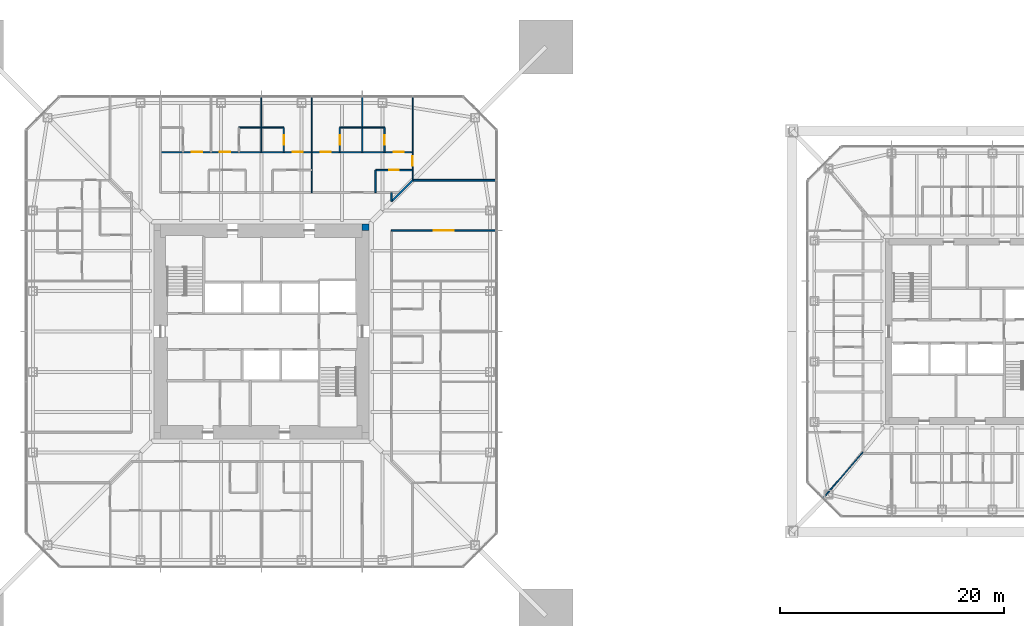
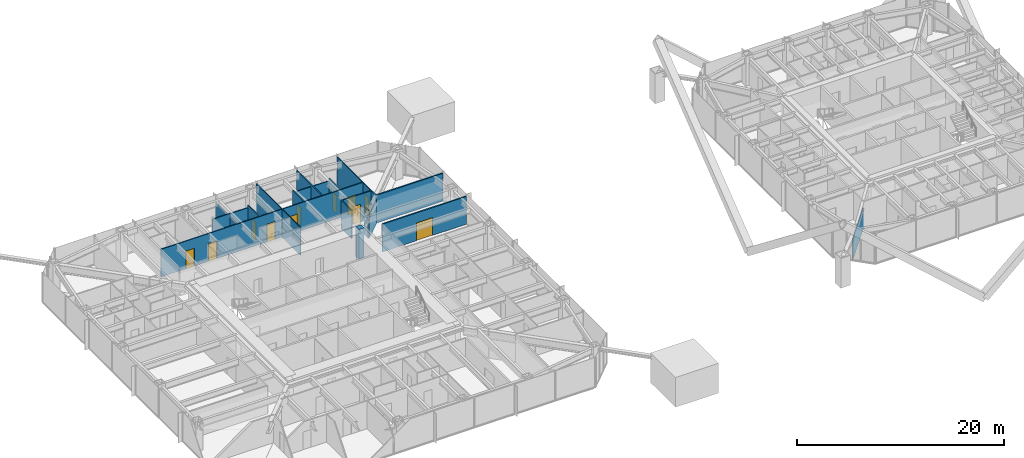
# One storey, part 14 of 23: 18 walls, 11 doors, 11 openings.
"""IFC4 building model written with IfcOpenShell, lengths in metres."""

from ifc_helpers import new_model, si_unit, direction, frame, frame_2d, origin, place, context, subcontext, project, spatial, rectangle, extrude, material, layer, layer_set, type_object, element, fill, save


model = new_model("IFC4")

# Units and contexts
model_context = context("Model", 3, precision=1e-05, world=origin(), true_north=direction((0.0, 1.0)))
body_context = subcontext(model_context, "Body", "Model", "MODEL_VIEW")
ifc_project = project(units=[si_unit("LENGTHUNIT", "METRE"), si_unit("AREAUNIT", "SQUARE_METRE"), si_unit("VOLUMEUNIT", "CUBIC_METRE"), si_unit("PLANEANGLEUNIT", "RADIAN"), si_unit("MASSUNIT", "GRAM", prefix="KILO")], contexts=[model_context])

# Site, building, storey
site_placement = place(None, origin())
site = spatial("IfcSite", under=ifc_project, at=site_placement, CompositionType="ELEMENT")
building_placement = place(site_placement, origin())
building = spatial("IfcBuilding", under=site, at=building_placement, Name="Iwan Alto Co-Living Towers", CompositionType="ELEMENT")
storey_placement = place(building_placement, frame((0.0, 0.0, 122.5)))
storey = spatial("IfcBuildingStorey", under=building, at=storey_placement, Name="L33", CompositionType="ELEMENT", Elevation=122.5)

# Wall, opening, door
ifc_material_1 = material(Name="Gypsum board")
ifc_layer_1 = layer(ifc_material_1, 0.02490234375, Name="Board", Category="Finish")
ifc_material_2 = material(Name="Steel ASTM A1003 ST33H cold-formed studs", Category="steel")
ifc_layer_2 = layer(ifc_material_2, 0.10009765625, Name="Studs", Category="Framing")
ifc_layer_3 = layer(ifc_material_1, 0.02490234375, Name="Board", Category="Finish")
ifc_layer_set_1 = layer_set([ifc_layer_1, ifc_layer_2, ifc_layer_3], Name="CORRIDOR WALL 150")
wall_type_1 = type_object("IfcWallType", Name="CORRIDOR WALL 150", PredefinedType="PARTITIONING", material=ifc_layer_set_1)
wall_1_placement = place(storey_placement, frame((11.60009765625, 9.0, 0.0), z_axis=(0.0, 0.0, 1.0), x_axis=(1.0, 0.0, 0.0)))
wall_1 = element("IfcWall", 1, at=wall_1_placement, inside=storey, type_object=wall_type_1, Name="Partition L33", PredefinedType="PARTITIONING", context=body_context, shape_type="SweptSolid", body=[
    extrude(rectangle(XDim=9.33984375, YDim=0.14990234375, at=frame_2d((4.669921875, 0.0))), origin(), (0.0, 0.0, 1.0), 3.27001953125),
])
opening_1_placement = place(wall_1_placement, frame((3.77001953125, 0.0, 0.0)))
opening_1 = element("IfcOpeningElement", 2, at=opening_1_placement, cuts=wall_1, Name="Opening D9", PredefinedType="OPENING", context=body_context, shape_type="SweptSolid", body=[
    extrude(rectangle(XDim=1.800048828125, YDim=2.10009765625, at=frame_2d((0.89990234375, 1.050048828125))), frame((0.0, 0.0849609375, 0.0), z_axis=(0.0, -1.0, 0.0), x_axis=(1.0, 0.0, 0.0)), (0.0, 0.0, 1.0), 0.169921875),
])
ifc_material_3 = material(Name="Steel frame with timber leaf", Category="steel")
door_type_1 = type_object("IfcDoorType", Name="LOUNGE DOOR FD30S 1800X2100", OperationType="DOUBLE_DOOR_SINGLE_SWING", PredefinedType="DOOR", material=ifc_material_3)
door_1_placement = place(opening_1_placement, frame((1.800048828125, 0.0, 0.0), z_axis=(0.0, 0.0, 1.0), x_axis=(-1.0, 0.0, 0.0)))
door_1 = element("IfcDoor", 3, at=door_1_placement, inside=storey, type_object=door_type_1, Name="Co-working room door L33", OperationType="DOUBLE_DOOR_SINGLE_SWING", OverallHeight=2.10009765625, OverallWidth=1.800048828125, PredefinedType="DOOR", context=body_context, shape_type="SweptSolid", body=[
    extrude(rectangle(XDim=1.800048828125, YDim=2.10009765625, at=frame_2d((0.89990234375, 1.050048828125))), frame((0.0, 0.02490234375, 0.0), z_axis=(0.0, -1.0, 0.0), x_axis=(1.0, 0.0, 0.0)), (0.0, 0.0, 1.0), 0.050048828125),
])
fill(opening_1, door_1)

# Walls
wall_2_placement = place(storey_placement, frame((13.5, 13.5, 0.0), z_axis=(0.0, 0.0, 1.0), x_axis=(1.0, 0.0, 0.0)))
element("IfcWall", 4, at=wall_2_placement, inside=storey, type_object=wall_type_1, Name="Partition L33", PredefinedType="PARTITIONING", context=body_context, shape_type="SweptSolid", body=[
    extrude(rectangle(XDim=7.43994140625, YDim=0.14990234375, at=frame_2d((3.719970703125, 0.0))), origin(), (0.0, 0.0, 1.0), 3.27001953125),
])
wall_3_placement = place(storey_placement, frame((11.60009765625, 11.60009765625, 0.0), z_axis=(0.0, 0.0, 1.0), x_axis=(0.707106781187, 0.707106781187, 0.0)))
element("IfcWall", 5, at=wall_3_placement, inside=storey, type_object=wall_type_1, Name="Partition L33", PredefinedType="PARTITIONING", context=body_context, shape_type="SweptSolid", body=[
    extrude(rectangle(XDim=2.686767578125, YDim=0.14990234375, at=frame_2d((1.34326171875, 0.0))), origin(), (0.0, 0.0, 1.0), 2.343017578125),
])
wall_4_placement = place(storey_placement, frame((11.60009765625, 11.60009765625, 0.0), z_axis=(0.0, 0.0, 1.0), x_axis=(0.0, 1.0, 0.0)))
element("IfcWall", 6, at=wall_4_placement, inside=storey, type_object=wall_type_1, Name="Partition L33", PredefinedType="PARTITIONING", context=body_context, shape_type="SweptSolid", body=[
    extrude(rectangle(XDim=0.7998046875, YDim=0.14990234375, at=frame_2d((0.39990234375, 0.0))), origin(), (0.0, 0.0, 1.0), 3.27001953125),
])

# Wall, openings, doors
ifc_layer_4 = layer(ifc_material_1, 0.012451171875, Name="Board", Category="Finish")
ifc_layer_5 = layer(ifc_material_2, 0.074951171875, Name="Studs", Category="Framing")
ifc_layer_6 = layer(ifc_material_1, 0.012451171875, Name="Board", Category="Finish")
ifc_layer_set_2 = layer_set([ifc_layer_4, ifc_layer_5, ifc_layer_6], Name="PARTITION 100")
wall_type_2 = type_object("IfcWallType", Name="PARTITION 100", PredefinedType="PARTITIONING", material=ifc_layer_set_2)
wall_5_placement = place(storey_placement, frame((-9.0, 16.0, 0.0), z_axis=(0.0, 0.0, 1.0), x_axis=(1.0, 0.0, 0.0)))
wall_5 = element("IfcWall", 7, at=wall_5_placement, inside=storey, type_object=wall_type_2, Name="Partition L33", PredefinedType="PARTITIONING", context=body_context, shape_type="SweptSolid", body=[
    extrude(rectangle(XDim=22.5, YDim=0.10009765625, at=frame_2d((11.25, 0.0))), origin(), (0.0, 0.0, 1.0), 3.27001953125),
])
opening_2_placement = place(wall_5_placement, frame((20.800048828125, 0.0, 0.0)))
opening_2 = element("IfcOpeningElement", 8, at=opening_2_placement, cuts=wall_5, Name="Opening D1", PredefinedType="OPENING", context=body_context, shape_type="SweptSolid", body=[
    extrude(rectangle(XDim=0.89990234375, YDim=2.10009765625, at=frame_2d((0.449951171875, 1.050048828125))), frame((0.0, 0.06005859375, 0.0), z_axis=(0.0, -1.0, 0.0), x_axis=(1.0, 0.0, 0.0)), (0.0, 0.0, 1.0), 0.1201171875),
])
opening_3_placement = place(wall_5_placement, frame((14.300048828125, 0.0, 0.0)))
opening_3 = element("IfcOpeningElement", 9, at=opening_3_placement, cuts=wall_5, Name="Opening D1", PredefinedType="OPENING", context=body_context, shape_type="SweptSolid", body=[
    extrude(rectangle(XDim=0.89990234375, YDim=2.10009765625, at=frame_2d((0.449951171875, 1.050048828125))), frame((0.0, 0.06005859375, 0.0), z_axis=(0.0, -1.0, 0.0), x_axis=(1.0, 0.0, 0.0)), (0.0, 0.0, 1.0), 0.1201171875),
])
opening_4_placement = place(wall_5_placement, frame((11.800048828125, 0.0, 0.0)))
opening_4 = element("IfcOpeningElement", 10, at=opening_4_placement, cuts=wall_5, Name="Opening D1", PredefinedType="OPENING", context=body_context, shape_type="SweptSolid", body=[
    extrude(rectangle(XDim=0.89990234375, YDim=2.10009765625, at=frame_2d((0.449951171875, 1.050048828125))), frame((0.0, 0.06005859375, 0.0), z_axis=(0.0, -1.0, 0.0), x_axis=(1.0, 0.0, 0.0)), (0.0, 0.0, 1.0), 0.1201171875),
])
opening_5_placement = place(wall_5_placement, frame((5.300048828125, 0.0, 0.0)))
opening_5 = element("IfcOpeningElement", 11, at=opening_5_placement, cuts=wall_5, Name="Opening D1", PredefinedType="OPENING", context=body_context, shape_type="SweptSolid", body=[
    extrude(rectangle(XDim=0.89990234375, YDim=2.10009765625, at=frame_2d((0.449951171875, 1.050048828125))), frame((0.0, 0.06005859375, 0.0), z_axis=(0.0, -1.0, 0.0), x_axis=(1.0, 0.0, 0.0)), (0.0, 0.0, 1.0), 0.1201171875),
])
opening_6_placement = place(wall_5_placement, frame((2.800048828125, 0.0, 0.0)))
opening_6 = element("IfcOpeningElement", 12, at=opening_6_placement, cuts=wall_5, Name="Opening D1", PredefinedType="OPENING", context=body_context, shape_type="SweptSolid", body=[
    extrude(rectangle(XDim=0.89990234375, YDim=2.10009765625, at=frame_2d((0.449951171875, 1.050048828125))), frame((0.0, 0.06005859375, 0.0), z_axis=(0.0, -1.0, 0.0), x_axis=(1.0, 0.0, 0.0)), (0.0, 0.0, 1.0), 0.1201171875),
])
ifc_material_4 = material(Name="Timber leaf in steel frame", Category="steel")
door_type_2 = type_object("IfcDoorType", Name="BEDROOM DOOR 900X2100", OperationType="SINGLE_SWING_LEFT", PredefinedType="DOOR", material=ifc_material_4)
door_2_placement = place(opening_2_placement, frame((0.89990234375, 0.0, 0.0), z_axis=(0.0, 0.0, 1.0), x_axis=(-1.0, 0.0, 0.0)))
door_2 = element("IfcDoor", 13, at=door_2_placement, inside=storey, type_object=door_type_2, Name="Study bedroom door L33", OperationType="SINGLE_SWING_LEFT", OverallHeight=2.10009765625, OverallWidth=0.89990234375, PredefinedType="DOOR", context=body_context, shape_type="SweptSolid", body=[
    extrude(rectangle(XDim=0.89990234375, YDim=2.10009765625, at=frame_2d((0.449951171875, 1.050048828125))), frame((0.0, 0.02490234375, 0.0), z_axis=(0.0, -1.0, 0.0), x_axis=(1.0, 0.0, 0.0)), (0.0, 0.0, 1.0), 0.050048828125),
])
fill(opening_2, door_2)
door_3_placement = place(opening_3_placement, frame((0.89990234375, 0.0, 0.0), z_axis=(0.0, 0.0, 1.0), x_axis=(-1.0, 0.0, 0.0)))
door_3 = element("IfcDoor", 14, at=door_3_placement, inside=storey, type_object=door_type_2, Name="Study bedroom door L33", OperationType="SINGLE_SWING_RIGHT", OverallHeight=2.10009765625, OverallWidth=0.89990234375, PredefinedType="DOOR", context=body_context, shape_type="SweptSolid", body=[
    extrude(rectangle(XDim=0.89990234375, YDim=2.10009765625, at=frame_2d((0.449951171875, 1.050048828125))), frame((0.0, 0.02490234375, 0.0), z_axis=(0.0, -1.0, 0.0), x_axis=(1.0, 0.0, 0.0)), (0.0, 0.0, 1.0), 0.050048828125),
])
fill(opening_3, door_3)
door_4_placement = place(opening_4_placement, frame((0.89990234375, 0.0, 0.0), z_axis=(0.0, 0.0, 1.0), x_axis=(-1.0, 0.0, 0.0)))
door_4 = element("IfcDoor", 15, at=door_4_placement, inside=storey, type_object=door_type_2, Name="Study bedroom door L33", OperationType="SINGLE_SWING_LEFT", OverallHeight=2.10009765625, OverallWidth=0.89990234375, PredefinedType="DOOR", context=body_context, shape_type="SweptSolid", body=[
    extrude(rectangle(XDim=0.89990234375, YDim=2.10009765625, at=frame_2d((0.449951171875, 1.050048828125))), frame((0.0, 0.02490234375, 0.0), z_axis=(0.0, -1.0, 0.0), x_axis=(1.0, 0.0, 0.0)), (0.0, 0.0, 1.0), 0.050048828125),
])
fill(opening_4, door_4)
door_5_placement = place(opening_5_placement, frame((0.89990234375, 0.0, 0.0), z_axis=(0.0, 0.0, 1.0), x_axis=(-1.0, 0.0, 0.0)))
door_5 = element("IfcDoor", 16, at=door_5_placement, inside=storey, type_object=door_type_2, Name="Study bedroom door L33", OperationType="SINGLE_SWING_RIGHT", OverallHeight=2.10009765625, OverallWidth=0.89990234375, PredefinedType="DOOR", context=body_context, shape_type="SweptSolid", body=[
    extrude(rectangle(XDim=0.89990234375, YDim=2.10009765625, at=frame_2d((0.449951171875, 1.050048828125))), frame((0.0, 0.02490234375, 0.0), z_axis=(0.0, -1.0, 0.0), x_axis=(1.0, 0.0, 0.0)), (0.0, 0.0, 1.0), 0.050048828125),
])
fill(opening_5, door_5)
door_6_placement = place(opening_6_placement, frame((0.89990234375, 0.0, 0.0), z_axis=(0.0, 0.0, 1.0), x_axis=(-1.0, 0.0, 0.0)))
door_6 = element("IfcDoor", 17, at=door_6_placement, inside=storey, type_object=door_type_2, Name="Study bedroom door L33", OperationType="SINGLE_SWING_RIGHT", OverallHeight=2.10009765625, OverallWidth=0.89990234375, PredefinedType="DOOR", context=body_context, shape_type="SweptSolid", body=[
    extrude(rectangle(XDim=0.89990234375, YDim=2.10009765625, at=frame_2d((0.449951171875, 1.050048828125))), frame((0.0, 0.02490234375, 0.0), z_axis=(0.0, -1.0, 0.0), x_axis=(1.0, 0.0, 0.0)), (0.0, 0.0, 1.0), 0.050048828125),
])
fill(opening_6, door_6)

# Walls
for number, where, z_axis, x_axis, name in (
    (18, (-2.0, 18.199951171875, 0.0), (0.0, 0.0, 1.0), (1.0, 0.0, 0.0), "Partition L33"),
    (19, (7.0, 18.199951171875, 0.0), (0.0, 0.0, 1.0), (1.0, 0.0, 0.0), "Partition L33"),
):
    element("IfcWall", number, at=place(storey_placement, frame(where, z_axis=z_axis, x_axis=x_axis)), inside=storey, type_object=wall_type_2, Name=name, PredefinedType="PARTITIONING", context=body_context, shape_type="SweptSolid", body=[
        extrude(rectangle(XDim=4.0, YDim=0.10009765625, at=frame_2d((2.0, 0.0))), origin(), (0.0, 0.0, 1.0), 3.0),
    ])
wall_6_placement = place(storey_placement, frame((50.178955078125, -14.843994140625, 0.0), z_axis=(0.0, 0.0, 1.0), x_axis=(0.653713095188, 0.756742485381, 0.0)))
element("IfcWall", 20, at=wall_6_placement, inside=storey, type_object=wall_type_2, Name="Partition L33", PredefinedType="PARTITIONING", context=body_context, shape_type="SweptSolid", body=[
    extrude(rectangle(XDim=5.38623046875, YDim=0.10009765625, at=frame_2d((2.693115234375, 0.0))), origin(), (0.0, 0.0, 1.0), 2.42919921875),
])

# Wall, opening, door
wall_7_placement = place(storey_placement, frame((13.5, 13.5, 0.0), z_axis=(0.0, 0.0, 1.0), x_axis=(0.0, 1.0, 0.0)))
wall_7 = element("IfcWall", 21, at=wall_7_placement, inside=storey, type_object=wall_type_2, Name="Partition L33", PredefinedType="PARTITIONING", context=body_context, shape_type="SweptSolid", body=[
    extrude(rectangle(XDim=7.43994140625, YDim=0.10009765625, at=frame_2d((3.719970703125, 0.0))), origin(), (0.0, 0.0, 1.0), 3.27001953125),
])
opening_7_placement = place(wall_7_placement, frame((1.27490234375, 0.0, 0.0)))
opening_7 = element("IfcOpeningElement", 22, at=opening_7_placement, cuts=wall_7, Name="Opening D2", PredefinedType="OPENING", context=body_context, shape_type="SweptSolid", body=[
    extrude(rectangle(XDim=0.85009765625, YDim=2.10009765625, at=frame_2d((0.425048828125, 1.050048828125))), frame((0.0, 0.06005859375, 0.0), z_axis=(0.0, -1.0, 0.0), x_axis=(1.0, 0.0, 0.0)), (0.0, 0.0, 1.0), 0.1201171875),
])
ifc_material_5 = material(Name="Timber leaf in steel frame", Category="steel")
door_type_3 = type_object("IfcDoorType", Name="ROOM DOOR 850X2100", OperationType="SINGLE_SWING_LEFT", PredefinedType="DOOR", material=ifc_material_5)
door_7_placement = place(opening_7_placement, frame((0.85009765625, 0.0, 0.0), z_axis=(0.0, 0.0, 1.0), x_axis=(-1.0, 0.0, 0.0)))
door_7 = element("IfcDoor", 23, at=door_7_placement, inside=storey, type_object=door_type_3, Name="Shared kitchen and lounge door L33", OperationType="SINGLE_SWING_RIGHT", OverallHeight=2.10009765625, OverallWidth=0.85009765625, PredefinedType="DOOR", context=body_context, shape_type="SweptSolid", body=[
    extrude(rectangle(XDim=0.85009765625, YDim=2.10009765625, at=frame_2d((0.425048828125, 1.050048828125))), frame((0.0, 0.02490234375, 0.0), z_axis=(0.0, -1.0, 0.0), x_axis=(1.0, 0.0, 0.0)), (0.0, 0.0, 1.0), 0.050048828125),
])
fill(opening_7, door_7)

# Walls
wall_8_placement = place(storey_placement, frame((9.0, 16.0, 0.0), z_axis=(0.0, 0.0, 1.0), x_axis=(0.0, 1.0, 0.0)))
element("IfcWall", 24, at=wall_8_placement, inside=storey, type_object=wall_type_2, Name="Partition L33", PredefinedType="PARTITIONING", context=body_context, shape_type="SweptSolid", body=[
    extrude(rectangle(XDim=4.93994140625, YDim=0.10009765625, at=frame_2d((2.469970703125, 0.0))), origin(), (0.0, 0.0, 1.0), 3.27001953125),
])
wall_9_placement = place(storey_placement, frame((4.5, 12.39990234375, 0.0), z_axis=(0.0, 0.0, 1.0), x_axis=(0.0, 1.0, 0.0)))
element("IfcWall", 25, at=wall_9_placement, inside=storey, type_object=wall_type_2, Name="Partition L33", PredefinedType="PARTITIONING", context=body_context, shape_type="SweptSolid", body=[
    extrude(rectangle(XDim=8.5400390625, YDim=0.10009765625, at=frame_2d((4.27001953125, 0.0))), origin(), (0.0, 0.0, 1.0), 3.27001953125),
])
wall_10_placement = place(storey_placement, frame((0.0, 16.0, 0.0), z_axis=(0.0, 0.0, 1.0), x_axis=(0.0, 1.0, 0.0)))
element("IfcWall", 26, at=wall_10_placement, inside=storey, type_object=wall_type_2, Name="Partition L33", PredefinedType="PARTITIONING", context=body_context, shape_type="SweptSolid", body=[
    extrude(rectangle(XDim=4.93994140625, YDim=0.10009765625, at=frame_2d((2.469970703125, 0.0))), origin(), (0.0, 0.0, 1.0), 2.586669921875),
])
ifc_material_6 = material(Name="Concrete f'c 70 MPa", Category="concrete")
ifc_layer_7 = layer(ifc_material_6, 0.60009765625)
ifc_layer_set_3 = layer_set([ifc_layer_7], Name="T1 CORE CORNER FILL 600")
wall_type_3 = type_object("IfcWallType", Name="T1 CORE CORNER FILL 600", PredefinedType="SOLIDWALL", material=ifc_layer_set_3)
wall_11_placement = place(storey_placement, frame((9.0, 9.300048828125, 0.0), z_axis=(0.0, 0.0, 1.0), x_axis=(1.0, 0.0, 0.0)))
element("IfcWall", 27, at=wall_11_placement, inside=storey, type_object=wall_type_3, Name="T1 core corner NE L33", PredefinedType="SOLIDWALL", context=body_context, shape_type="SweptSolid", body=[
    extrude(rectangle(XDim=0.60009765625, YDim=0.60009765625, at=frame_2d((0.300048828125, 0.0))), origin(), (0.0, 0.0, 1.0), 3.5),
])

# Wall, opening, door
ifc_material_7 = material(Name="Cement board")
ifc_layer_8 = layer(ifc_material_7, 0.012451171875, Name="Board", Category="Finish")
ifc_layer_9 = layer(ifc_material_2, 0.094970703125, Name="Studs", Category="Framing")
ifc_layer_10 = layer(ifc_material_7, 0.012451171875, Name="Board", Category="Finish")
ifc_layer_set_4 = layer_set([ifc_layer_8, ifc_layer_9, ifc_layer_10], Name="WET AREA PARTITION 120")
wall_type_4 = type_object("IfcWallType", Name="WET AREA PARTITION 120", PredefinedType="PARTITIONING", material=ifc_layer_set_4)
wall_12_placement = place(storey_placement, frame((10.199951171875, 14.39990234375, 0.0), z_axis=(0.0, 0.0, 1.0), x_axis=(1.0, 0.0, 0.0)))
wall_12 = element("IfcWall", 28, at=wall_12_placement, inside=storey, type_object=wall_type_4, Name="Partition L33", PredefinedType="PARTITIONING", context=body_context, shape_type="SweptSolid", body=[
    extrude(rectangle(XDim=3.300048828125, YDim=0.1201171875, at=frame_2d((1.64990234375, 0.0))), origin(), (0.0, 0.0, 1.0), 3.27001953125),
])
opening_8_placement = place(wall_12_placement, frame((1.22509765625, 0.0, 0.0)))
opening_8 = element("IfcOpeningElement", 29, at=opening_8_placement, cuts=wall_12, Name="Opening D2", PredefinedType="OPENING", context=body_context, shape_type="SweptSolid", body=[
    extrude(rectangle(XDim=0.85009765625, YDim=2.10009765625, at=frame_2d((0.425048828125, 1.050048828125))), frame((0.0, 0.070068359375, 0.0), z_axis=(0.0, -1.0, 0.0), x_axis=(1.0, 0.0, 0.0)), (0.0, 0.0, 1.0), 0.14013671875),
])
door_8_placement = place(opening_8_placement, origin())
door_8 = element("IfcDoor", 30, at=door_8_placement, inside=storey, type_object=door_type_3, Name="Bathroom door L33", OperationType="SINGLE_SWING_RIGHT", OverallHeight=2.10009765625, OverallWidth=0.85009765625, PredefinedType="DOOR", context=body_context, shape_type="SweptSolid", body=[
    extrude(rectangle(XDim=0.85009765625, YDim=2.10009765625, at=frame_2d((0.425048828125, 1.050048828125))), frame((0.0, 0.02490234375, 0.0), z_axis=(0.0, -1.0, 0.0), x_axis=(1.0, 0.0, 0.0)), (0.0, 0.0, 1.0), 0.050048828125),
])
fill(opening_8, door_8)

wall_13_placement = place(storey_placement, frame((11.0, 16.0, 0.0), z_axis=(0.0, 0.0, 1.0), x_axis=(0.0, 1.0, 0.0)))
wall_13 = element("IfcWall", 31, at=wall_13_placement, inside=storey, type_object=wall_type_4, Name="Partition L33", PredefinedType="PARTITIONING", context=body_context, shape_type="SweptSolid", body=[
    extrude(rectangle(XDim=2.199951171875, YDim=0.1201171875, at=frame_2d((1.10009765625, 0.0))), origin(), (0.0, 0.0, 1.0), 3.27001953125),
])
opening_9_placement = place(wall_13_placement, frame((0.675048828125, 0.0, 0.0)))
opening_9 = element("IfcOpeningElement", 32, at=opening_9_placement, cuts=wall_13, Name="Opening D2", PredefinedType="OPENING", context=body_context, shape_type="SweptSolid", body=[
    extrude(rectangle(XDim=0.85009765625, YDim=2.10009765625, at=frame_2d((0.425048828125, 1.050048828125))), frame((0.0, 0.070068359375, 0.0), z_axis=(0.0, -1.0, 0.0), x_axis=(1.0, 0.0, 0.0)), (0.0, 0.0, 1.0), 0.14013671875),
])
door_9_placement = place(opening_9_placement, frame((0.85009765625, 0.0, 0.0), z_axis=(0.0, 0.0, 1.0), x_axis=(-1.0, 0.0, 0.0)))
door_9 = element("IfcDoor", 33, at=door_9_placement, inside=storey, type_object=door_type_3, Name="En-suite shower room door L33", OperationType="SINGLE_SWING_RIGHT", OverallHeight=2.10009765625, OverallWidth=0.85009765625, PredefinedType="DOOR", context=body_context, shape_type="SweptSolid", body=[
    extrude(rectangle(XDim=0.85009765625, YDim=2.10009765625, at=frame_2d((0.425048828125, 1.050048828125))), frame((0.0, 0.02490234375, 0.0), z_axis=(0.0, -1.0, 0.0), x_axis=(1.0, 0.0, 0.0)), (0.0, 0.0, 1.0), 0.050048828125),
])
fill(opening_9, door_9)

# Wall
wall_14_placement = place(storey_placement, frame((10.199951171875, 12.39990234375, 0.0), z_axis=(0.0, 0.0, 1.0), x_axis=(0.0, 1.0, 0.0)))
element("IfcWall", 34, at=wall_14_placement, inside=storey, type_object=wall_type_4, Name="Partition L33", PredefinedType="PARTITIONING", context=body_context, shape_type="SweptSolid", body=[
    extrude(rectangle(XDim=2.0, YDim=0.1201171875, at=frame_2d((1.0, 0.0))), origin(), (0.0, 0.0, 1.0), 3.27001953125),
])

# Wall, opening, door
wall_15_placement = place(storey_placement, frame((7.0, 16.0, 0.0), z_axis=(0.0, 0.0, 1.0), x_axis=(0.0, 1.0, 0.0)))
wall_15 = element("IfcWall", 35, at=wall_15_placement, inside=storey, type_object=wall_type_4, Name="Partition L33", PredefinedType="PARTITIONING", context=body_context, shape_type="SweptSolid", body=[
    extrude(rectangle(XDim=2.199951171875, YDim=0.1201171875, at=frame_2d((1.10009765625, 0.0))), origin(), (0.0, 0.0, 1.0), 3.27001953125),
])
opening_10_placement = place(wall_15_placement, frame((0.675048828125, 0.0, 0.0)))
opening_10 = element("IfcOpeningElement", 36, at=opening_10_placement, cuts=wall_15, Name="Opening D2", PredefinedType="OPENING", context=body_context, shape_type="SweptSolid", body=[
    extrude(rectangle(XDim=0.85009765625, YDim=2.10009765625, at=frame_2d((0.425048828125, 1.050048828125))), frame((0.0, 0.070068359375, 0.0), z_axis=(0.0, -1.0, 0.0), x_axis=(1.0, 0.0, 0.0)), (0.0, 0.0, 1.0), 0.14013671875),
])
door_10_placement = place(opening_10_placement, origin())
door_10 = element("IfcDoor", 37, at=door_10_placement, inside=storey, type_object=door_type_3, Name="En-suite shower room door L33", OperationType="SINGLE_SWING_LEFT", OverallHeight=2.10009765625, OverallWidth=0.85009765625, PredefinedType="DOOR", context=body_context, shape_type="SweptSolid", body=[
    extrude(rectangle(XDim=0.85009765625, YDim=2.10009765625, at=frame_2d((0.425048828125, 1.050048828125))), frame((0.0, 0.02490234375, 0.0), z_axis=(0.0, -1.0, 0.0), x_axis=(1.0, 0.0, 0.0)), (0.0, 0.0, 1.0), 0.050048828125),
])
fill(opening_10, door_10)

wall_16_placement = place(storey_placement, frame((2.0, 16.0, 0.0), z_axis=(0.0, 0.0, 1.0), x_axis=(0.0, 1.0, 0.0)))
wall_16 = element("IfcWall", 38, at=wall_16_placement, inside=storey, type_object=wall_type_4, Name="Partition L33", PredefinedType="PARTITIONING", context=body_context, shape_type="SweptSolid", body=[
    extrude(rectangle(XDim=2.199951171875, YDim=0.1201171875, at=frame_2d((1.10009765625, 0.0))), origin(), (0.0, 0.0, 1.0), 3.27001953125),
])
opening_11_placement = place(wall_16_placement, frame((0.675048828125, 0.0, 0.0)))
opening_11 = element("IfcOpeningElement", 39, at=opening_11_placement, cuts=wall_16, Name="Opening D2", PredefinedType="OPENING", context=body_context, shape_type="SweptSolid", body=[
    extrude(rectangle(XDim=0.85009765625, YDim=2.10009765625, at=frame_2d((0.425048828125, 1.050048828125))), frame((0.0, 0.070068359375, 0.0), z_axis=(0.0, -1.0, 0.0), x_axis=(1.0, 0.0, 0.0)), (0.0, 0.0, 1.0), 0.14013671875),
])
door_11_placement = place(opening_11_placement, frame((0.85009765625, 0.0, 0.0), z_axis=(0.0, 0.0, 1.0), x_axis=(-1.0, 0.0, 0.0)))
door_11 = element("IfcDoor", 40, at=door_11_placement, inside=storey, type_object=door_type_3, Name="En-suite shower room door L33", OperationType="SINGLE_SWING_RIGHT", OverallHeight=2.10009765625, OverallWidth=0.85009765625, PredefinedType="DOOR", context=body_context, shape_type="SweptSolid", body=[
    extrude(rectangle(XDim=0.85009765625, YDim=2.10009765625, at=frame_2d((0.425048828125, 1.050048828125))), frame((0.0, 0.02490234375, 0.0), z_axis=(0.0, -1.0, 0.0), x_axis=(1.0, 0.0, 0.0)), (0.0, 0.0, 1.0), 0.050048828125),
])
fill(opening_11, door_11)

save(model, "model.ifc")
